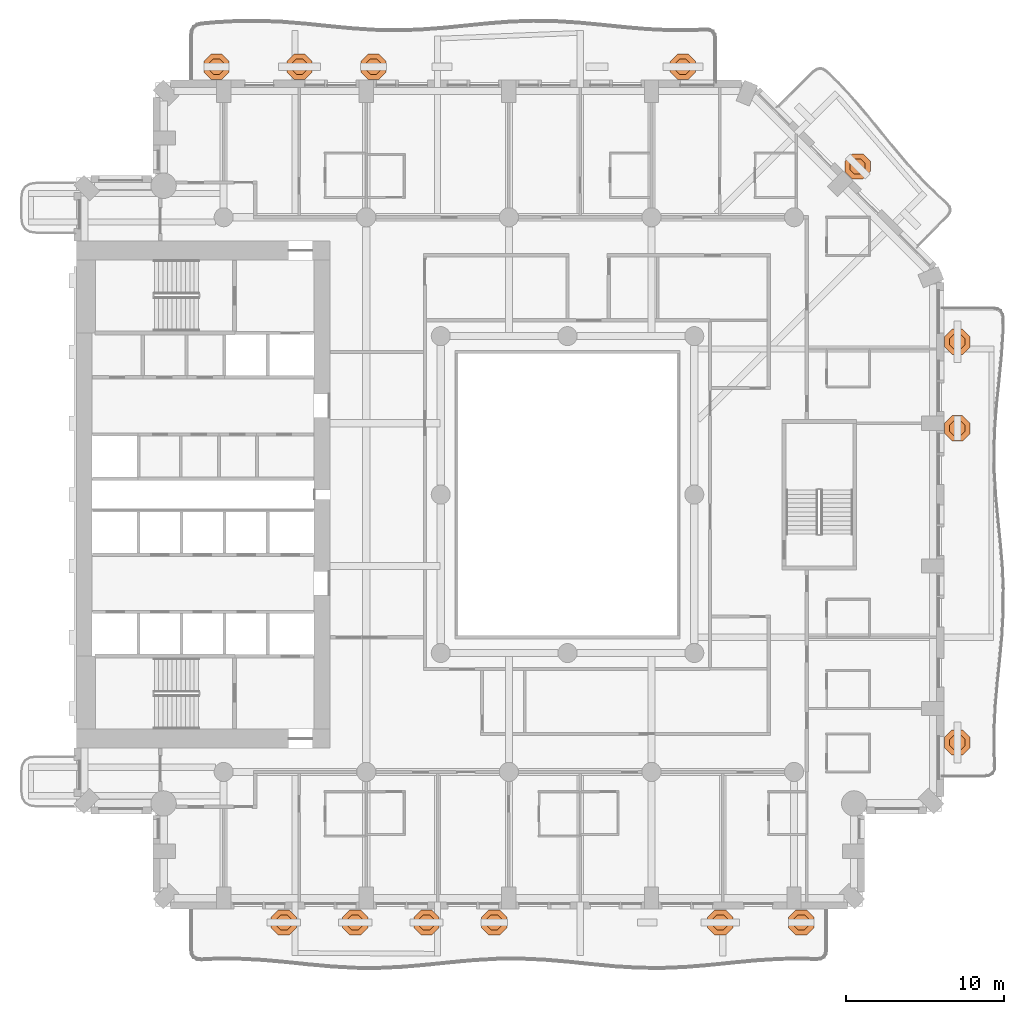
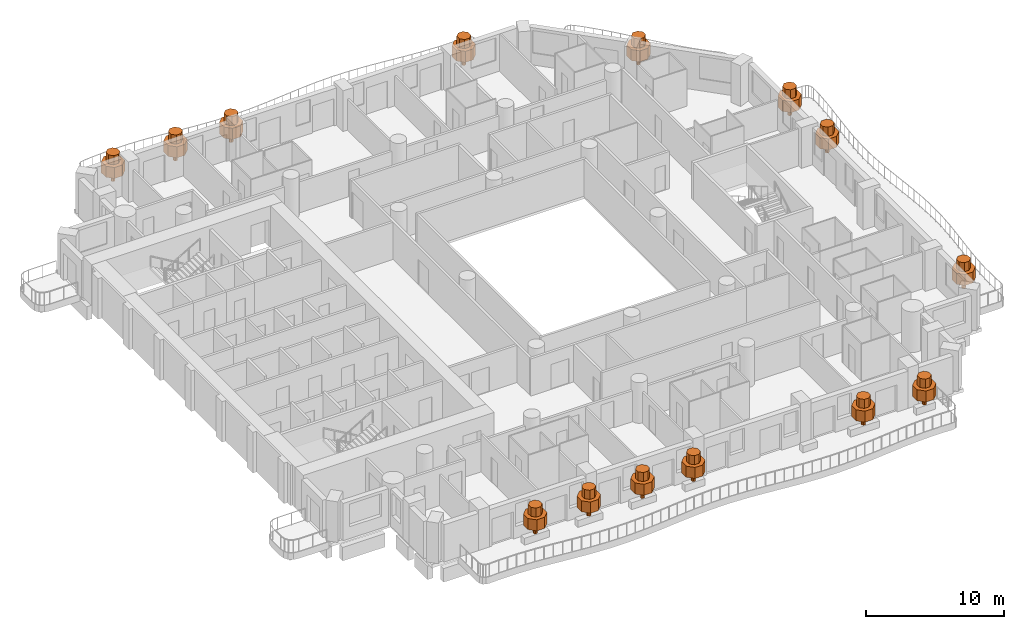
# One storey, part 20 of 20: 14 geographic elements.
"""IFC4 building model written with IfcOpenShell, lengths in metres."""

from ifc_helpers import new_model, si_unit, direction, frame, origin, place, context, subcontext, project, spatial, polyline, outline, extrude, material, type_object, element, save


model = new_model("IFC4")

# Units and contexts
model_context = context("Model", 3, precision=1e-05, world=origin(), true_north=direction((0.0, 1.0)))
body_context = subcontext(model_context, "Body", "Model", "MODEL_VIEW")
ifc_project = project(units=[si_unit("LENGTHUNIT", "METRE"), si_unit("AREAUNIT", "SQUARE_METRE"), si_unit("VOLUMEUNIT", "CUBIC_METRE"), si_unit("PLANEANGLEUNIT", "RADIAN"), si_unit("MASSUNIT", "GRAM", prefix="KILO")], contexts=[model_context])

# Site, building, storey
site_placement = place(None, origin())
site = spatial("IfcSite", under=ifc_project, at=site_placement, CompositionType="ELEMENT")
building_placement = place(site_placement, origin())
building = spatial("IfcBuilding", under=site, at=building_placement, Name="Cypress Arch Tower", CompositionType="ELEMENT")
storey_placement = place(building_placement, frame((0.0, 0.0, 84.300048828125)))
storey = spatial("IfcBuildingStorey", under=building, at=storey_placement, Name="L15", CompositionType="ELEMENT", Elevation=84.300048828125)

# Geographic elements
ifc_material = material(Name="Foliage and planting")
geographic_element_type = type_object("IfcGeographicElementType", Name="Balcony tree TR", PredefinedType="USERDEFINED", material=ifc_material)
for number, where, z_axis, x_axis, name in (
    (1, (-16.89990234375, -27.0, 0.599853515625), (0.0, 0.0, 1.0), (1.0, 0.0, 0.0), "Balcony tree L15-A03.1"),
    (2, (-12.39990234375, -27.0, 0.599853515625), (0.0, 0.0, 1.0), (1.0, 0.0, 0.0), "Balcony tree L15-A03.2"),
    (3, (-7.89990234375, -27.0, 0.599853515625), (0.0, 0.0, 1.0), (1.0, 0.0, 0.0), "Balcony tree L15-A03.3"),
    (4, (-3.625, -27.0, 0.599853515625), (0.0, 0.0, 1.0), (1.0, 0.0, 0.0), "Balcony tree L15-A03.4"),
    (5, (10.639892578125, -27.0, 0.599853515625), (0.0, 0.0, 1.0), (1.0, 0.0, 0.0), "Balcony tree L15-A03.6"),
    (6, (15.75, -27.0, 0.599853515625), (0.0, 0.0, 1.0), (1.0, 0.0, 0.0), "Balcony tree L15-A03.7"),
    (7, (25.60009765625, -15.642822265625, 0.599853515625), (0.0, 0.0, 1.0), (1.0, 0.0, 0.0), "Balcony tree L15-A06.1"),
    (8, (25.60009765625, 4.1826171875, 0.599853515625), (0.0, 0.0, 1.0), (1.0, 0.0, 0.0), "Balcony tree L15-A06.2"),
    (9, (25.60009765625, 9.642822265625, 0.599853515625), (0.0, 0.0, 1.0), (1.0, 0.0, 0.0), "Balcony tree L15-A06.3"),
    (10, (19.30712890625, 20.70703125, 0.599853515625), (0.0, 0.0, 1.0), (1.0, 0.0, 0.0), "Balcony tree L15-A07.2"),
    (11, (8.28125, 27.0, 0.599853515625), (0.0, 0.0, 1.0), (1.0, 0.0, 0.0), "Balcony tree L15-A08.1"),
    (12, (-11.24365234375, 27.0, 0.599853515625), (0.0, 0.0, 1.0), (1.0, 0.0, 0.0), "Balcony tree L15-A08.4"),
    (13, (-15.91259765625, 27.0, 0.599853515625), (0.0, 0.0, 1.0), (1.0, 0.0, 0.0), "Balcony tree L15-A08.5"),
    (14, (-21.14990234375, 27.0, 0.599853515625), (0.0, 0.0, 1.0), (1.0, 0.0, 0.0), "Balcony tree L15-A08.6"),
):
    element("IfcGeographicElement", number, at=place(storey_placement, frame(where, z_axis=z_axis, x_axis=x_axis)), inside=storey, type_object=geographic_element_type, Name=name, ObjectType="TREE", PredefinedType="USERDEFINED", context=body_context, shape_type="SweptSolid", body=[
        extrude(outline(polyline([(0.14990234375, 0.06201171875), (0.06201171875, 0.14990234375), (-0.06201171875, 0.14990234375), (-0.14990234375, 0.06201171875), (-0.14990234375, -0.06201171875), (-0.06201171875, -0.14990234375), (0.06201171875, -0.14990234375), (0.14990234375, -0.06201171875), (0.14990234375, 0.06201171875)])), origin(), (0.0, 0.0, 1.0), 0.864990234375),
        extrude(outline(polyline([(0.800048828125, 0.331298828125), (0.331298828125, 0.800048828125), (-0.331298828125, 0.800048828125), (-0.800048828125, 0.331298828125), (-0.800048828125, -0.331298828125), (-0.331298828125, -0.800048828125), (0.331298828125, -0.800048828125), (0.800048828125, -0.331298828125), (0.800048828125, 0.331298828125)])), frame((0.0, 0.0, 0.764892578125)), (0.0, 0.0, 1.0), 0.981689453125),
        extrude(outline(polyline([(0.47998046875, 0.19873046875), (0.19873046875, 0.47998046875), (-0.19873046875, 0.47998046875), (-0.47998046875, 0.19873046875), (-0.47998046875, -0.19873046875), (-0.19873046875, -0.47998046875), (0.19873046875, -0.47998046875), (0.47998046875, -0.19873046875), (0.47998046875, 0.19873046875)])), frame((0.0, 0.0, 1.746826171875)), (0.0, 0.0, 1.0), 0.80322265625),
    ])

save(model, "model.ifc")
